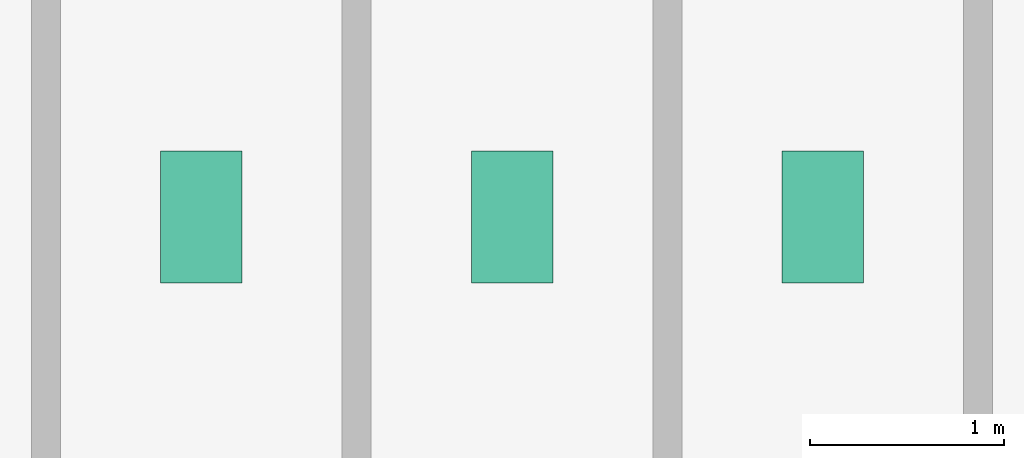
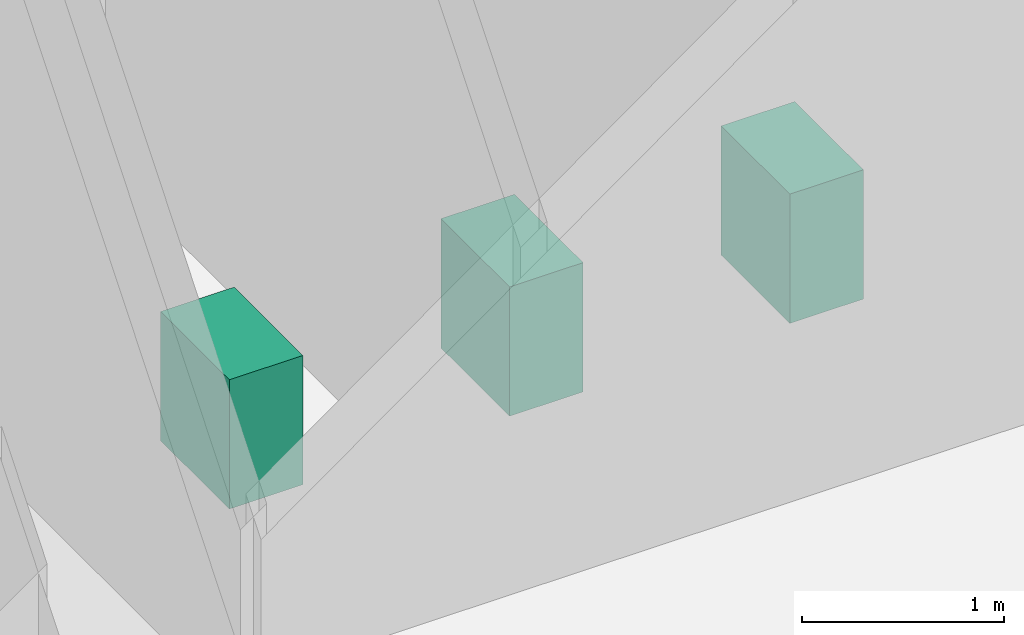
# One storey, part 25 of 25: 3 sanitary terminals.
"""IFC4 building model written with IfcOpenShell, lengths in metres."""

import ifcopenshell
import ifcopenshell.guid

model = None  # the IFC model being written
_history = None  # IfcOwnerHistory: only IFC2X3 demands one
_inside = {}  # id of a spatial element -> (the spatial element, [elements in it])
_under = {}  # id of a project, library or spatial element -> (it, [spatial elements below it])
_declared = {}  # id of a project -> (the project, [libraries it declares])
_typed = {}  # id of a type object -> (the type object, [elements of that type])
_made_of = {}  # id of a material, layer set ... -> (it, [elements and type objects made of it])


def new_model(schema):
    """Start an empty IFC model of exactly this schema.

    Asked for "IFC4X3", IfcOpenShell would pick the latest addendum, in which some entities
    have other attributes; the version numbers below select the first issue.
    IFC2X3 requires an IfcOwnerHistory on every rooted entity: one is made here for all.
    """
    global model, _history
    if schema == "IFC4X3":
        model = ifcopenshell.file(schema_version=(4, 3, 0, 0))
    else:
        model = ifcopenshell.file(schema=schema)
    _inside.clear()
    _under.clear()
    _declared.clear()
    _typed.clear()
    _made_of.clear()
    _history = None
    if model.schema == "IFC2X3":
        org = make("IfcOrganization", Name="unknown")
        user = make(
            "IfcPersonAndOrganization",
            ThePerson=make("IfcPerson", FamilyName="unknown"),
            TheOrganization=org,
        )
        app = make(
            "IfcApplication",
            ApplicationDeveloper=org,
            Version="unknown",
            ApplicationFullName="unknown",
            ApplicationIdentifier="unknown",
        )
        _history = make(
            "IfcOwnerHistory",
            OwningUser=user,
            OwningApplication=app,
            ChangeAction="ADDED",
            CreationDate=0,
        )
    return model


def make(cls, **values):
    """One entity of the class cls with the attributes given. An attribute that is None is left unset."""
    return model.create_entity(
        cls, **{name: value for name, value in values.items() if value is not None}
    )


def rooted(cls, **values):
    """An entity with a GlobalId (a new one), such as an element, a storey or a relation."""
    return make(cls, GlobalId=ifcopenshell.guid.new(), OwnerHistory=_history, **values)


def si_unit(unit_type, name, prefix=None):
    """IfcSIUnit, for example si_unit("LENGTHUNIT", "METRE", prefix="MILLI")."""
    return make("IfcSIUnit", UnitType=unit_type, Prefix=prefix, Name=name)


def derived_unit(unit_type, elements):
    """IfcDerivedUnit: a product of units, each with its exponent."""
    return make(
        "IfcDerivedUnit",
        Elements=[
            make("IfcDerivedUnitElement", Unit=unit, Exponent=power)
            for unit, power in elements
        ],
        UnitType=unit_type,
    )


def assignment(units):
    """IfcUnitAssignment: the units of a project."""
    return None if units is None else make("IfcUnitAssignment", Units=units)


def point(xyz):
    """IfcCartesianPoint."""
    return None if xyz is None else make("IfcCartesianPoint", Coordinates=xyz)


def direction(xyz):
    """IfcDirection."""
    return None if xyz is None else make("IfcDirection", DirectionRatios=xyz)


def frame(location, z_axis=None, x_axis=None):
    """IfcAxis2Placement3D, a coordinate frame: its origin and axes. An axis left out is left unset."""
    return make(
        "IfcAxis2Placement3D",
        Location=point(location),
        Axis=direction(z_axis),
        RefDirection=direction(x_axis),
    )


def frame_2d(location, x_axis=None):
    """IfcAxis2Placement2D, a coordinate frame in the plane: its origin and x axis."""
    return make(
        "IfcAxis2Placement2D", Location=point(location), RefDirection=direction(x_axis)
    )


def origin():
    """The frame at (0, 0, 0) with its axes left unset."""
    return frame((0.0, 0.0, 0.0))


def origin_2d():
    """The frame at (0, 0) in the plane with its x axis left unset."""
    return frame_2d((0.0, 0.0))


def place(relative_to, where):
    """IfcLocalPlacement: puts the frame where relative to a parent placement (None: the world)."""
    return make(
        "IfcLocalPlacement", PlacementRelTo=relative_to, RelativePlacement=where
    )


def context(
    kind, dimensions, precision=None, world=None, true_north=None, identifier=None
):
    """IfcGeometricRepresentationContext, for example the 3D "Model" context."""
    return make(
        "IfcGeometricRepresentationContext",
        ContextIdentifier=identifier,
        ContextType=kind,
        CoordinateSpaceDimension=dimensions,
        Precision=precision,
        WorldCoordinateSystem=world,
        TrueNorth=true_north,
    )


def subcontext(parent, identifier, kind, view, scale=None):
    """IfcGeometricRepresentationSubContext, for example "Body" below "Model"."""
    return make(
        "IfcGeometricRepresentationSubContext",
        ContextIdentifier=identifier,
        ContextType=kind,
        ParentContext=parent,
        TargetScale=scale,
        TargetView=view,
    )


def project(units=None, contexts=None):
    """IfcProject with its units and contexts."""
    return rooted(
        "IfcProject",
        Name="project",
        RepresentationContexts=contexts,
        UnitsInContext=assignment(units),
    )


def spatial(cls, under=None, at=None, **own):
    """A site, building, storey or space (cls), placed at a placement, below another one or the project."""
    s = rooted(cls, ObjectPlacement=at, **own)
    if under is not None:
        _under.setdefault(under.id(), (under, []))[1].append(s)
    return s


def profile(cls, at=None, kind="AREA", **sizes):
    """A parametric profile (cls). Its sizes go by their IFC names, for example OverallWidth=200.0."""
    return make(cls, ProfileType=kind, Position=at, **sizes)


def rectangle(**sizes):
    """IfcRectangleProfileDef."""
    return profile("IfcRectangleProfileDef", **sizes)


def extrude(swept, where, along, depth):
    """IfcExtrudedAreaSolid: the profile swept, set in the frame where, extruded along a direction by depth."""
    return make(
        "IfcExtrudedAreaSolid",
        SweptArea=swept,
        Position=where,
        ExtrudedDirection=direction(along),
        Depth=depth,
    )


def shape(context_of_items, identifier, shape_type, items):
    """IfcShapeRepresentation: the items that make up one representation, for example the "Body"."""
    return make(
        "IfcShapeRepresentation",
        ContextOfItems=context_of_items,
        RepresentationIdentifier=identifier,
        RepresentationType=shape_type,
        Items=items,
    )


def source(mapping_origin, context_of_items, identifier, shape_type, items):
    """IfcRepresentationMap: a shape defined once, which mapped items show again and again."""
    return make(
        "IfcRepresentationMap",
        MappingOrigin=mapping_origin,
        MappedRepresentation=shape(context_of_items, identifier, shape_type, items),
    )


def transform(
    local_origin,
    x_axis=None,
    y_axis=None,
    z_axis=None,
    scale=None,
    scale2=None,
    scale3=None,
    uniform=True,
):
    """IfcCartesianTransformationOperator3D, or its non-uniform kind. x_axis, y_axis, z_axis: its Axis1, 2, 3."""
    if uniform:
        return make(
            "IfcCartesianTransformationOperator3D",
            Axis1=direction(x_axis),
            Axis2=direction(y_axis),
            LocalOrigin=point(local_origin),
            Scale=scale,
            Axis3=direction(z_axis),
        )
    return make(
        "IfcCartesianTransformationOperator3DnonUniform",
        Axis1=direction(x_axis),
        Axis2=direction(y_axis),
        LocalOrigin=point(local_origin),
        Scale=scale,
        Axis3=direction(z_axis),
        Scale2=scale2,
        Scale3=scale3,
    )


def mapped(mapping_source, mapping_target):
    """IfcMappedItem: shows the shape of a source again, moved by a transform."""
    return make(
        "IfcMappedItem", MappingSource=mapping_source, MappingTarget=mapping_target
    )


def material(Name=None, Category=None):
    """IfcMaterial."""
    return make("IfcMaterial", Name=Name, Category=Category)


def made_of(thing, what):
    """Note that an element or type object is made of a material, layer set ...; save() writes the relation."""
    if what is not None:
        _made_of.setdefault(what.id(), (what, []))[1].append(thing)
    return thing


def type_object(cls, material=None, **own):
    """A type object (cls), such as IfcWallType, which elements share."""
    return made_of(rooted(cls, **own), material)


def element(
    cls,
    number,
    at=None,
    inside=None,
    cuts=None,
    type_object=None,
    material=None,
    context=None,
    identifier="Body",
    shape_type=None,
    held_by="IfcProductDefinitionShape",
    body=None,
    shapes=None,
    **own,
):
    """One element of the class cls, such as IfcWall. Its Tag is "e" and its number.

    at: its placement. inside: the storey or other place that contains it. cuts: it is an
    opening in that element (IfcRelVoidsElement). A single representation is given by context,
    identifier, shape_type and body (its items); several are given by shapes. held_by: the class
    of the entity that holds the representations. save() writes the other relations.
    """
    e = rooted(cls, Tag="e%d" % number, ObjectPlacement=at, **own)
    if body is not None:
        shapes = [shape(context, identifier, shape_type, body)]
    if shapes is not None:
        e.Representation = make(held_by, Representations=shapes)
    if inside is not None:
        _inside.setdefault(inside.id(), (inside, []))[1].append(e)
    if cuts is not None:
        rooted(
            "IfcRelVoidsElement", RelatingBuildingElement=cuts, RelatedOpeningElement=e
        )
    if type_object is not None:
        _typed.setdefault(type_object.id(), (type_object, []))[1].append(e)
    return made_of(e, material)


def aggregate(whole, parts):
    """IfcRelAggregates: a whole, such as a stair, and the parts it consists of."""
    return rooted("IfcRelAggregates", RelatingObject=whole, RelatedObjects=parts)


def save(model, path):
    """Write the relations noted so far, then the file.

    IfcRelAggregates (storeys below a building ...), IfcRelContainedInSpatialStructure (elements
    in a storey), IfcRelDefinesByType, IfcRelAssociatesMaterial and IfcRelDeclares: one each for
    every whole, place, type object, material and project.
    """
    for whole, parts in _under.values():
        aggregate(whole, parts)
    for where, things in _inside.values():
        rooted(
            "IfcRelContainedInSpatialStructure",
            RelatedElements=things,
            RelatingStructure=where,
        )
    for kind, things in _typed.values():
        rooted("IfcRelDefinesByType", RelatedObjects=things, RelatingType=kind)
    for what, things in _made_of.values():
        rooted("IfcRelAssociatesMaterial", RelatedObjects=things, RelatingMaterial=what)
    for by, libraries in _declared.values():
        rooted("IfcRelDeclares", RelatingContext=by, RelatedDefinitions=libraries)
    model.write(path)


model = new_model("IFC4")

# Units and contexts
model_context = context("Model", 3, precision=1e-05, world=origin(), true_north=direction((0.0, 1.0)))
body_context = subcontext(model_context, "Body", "Model", "MODEL_VIEW")
ifc_project = project(units=[si_unit("LENGTHUNIT", "METRE"), si_unit("AREAUNIT", "SQUARE_METRE"), si_unit("VOLUMEUNIT", "CUBIC_METRE"), si_unit("PLANEANGLEUNIT", "RADIAN"), si_unit("MASSUNIT", "GRAM", prefix="KILO"), derived_unit("THERMALTRANSMITTANCEUNIT", [(si_unit("POWERUNIT", "WATT"), 1), (si_unit("LENGTHUNIT", "METRE"), -2), (si_unit("THERMODYNAMICTEMPERATUREUNIT", "KELVIN"), -1)])], contexts=[model_context])

# Site, building, storey
site_placement = place(None, origin())
site = spatial("IfcSite", under=ifc_project, at=site_placement, CompositionType="ELEMENT")
building_placement = place(site_placement, origin())
building = spatial("IfcBuilding", under=site, at=building_placement, Name="Skarnbrae Concourse Arena and Tower", CompositionType="ELEMENT")
storey_placement = place(building_placement, frame((0.0, 0.0, 144.25)))
storey = spatial("IfcBuildingStorey", under=building, at=storey_placement, Name="L36", CompositionType="ELEMENT", Elevation=144.25)

# Sanitary terminals
ifc_material = material(Name="Vitreous china sanitaryware", Category="other")
sanitary_terminal_type = type_object("IfcSanitaryTerminalType", Name="SAN-WC-VITREOUS", PredefinedType="TOILETPAN", material=ifc_material)
shared_shape = source(origin(), body_context, "Body", "SweptSolid", [
    extrude(rectangle(XDim=0.419921875, YDim=0.679931640625, at=origin_2d()), origin(), (0.0, 0.0, 1.0), 0.780029296875),
])
for number, where, z_axis, x_axis, name in (
    (1, (35.0, 11.39990234375, 0.0), (0.0, 0.0, 1.0), (1.0, 0.0, 0.0), "L36 Washroom WC fixture 1"),
    (2, (36.60009765625, 11.39990234375, 0.0), (0.0, 0.0, 1.0), (1.0, 0.0, 0.0), "L36 Washroom WC fixture 2"),
    (3, (38.199951171875, 11.39990234375, 0.0), (0.0, 0.0, 1.0), (1.0, 0.0, 0.0), "L36 Washroom WC fixture 3"),
):
    element("IfcSanitaryTerminal", number, at=place(storey_placement, frame(where, z_axis=z_axis, x_axis=x_axis)), inside=storey, type_object=sanitary_terminal_type, Name=name, PredefinedType="TOILETPAN", context=body_context, shape_type="MappedRepresentation", body=[
        mapped(shared_shape, transform((0.0, 0.0, 0.0))),
    ])

save(model, "model.ifc")
